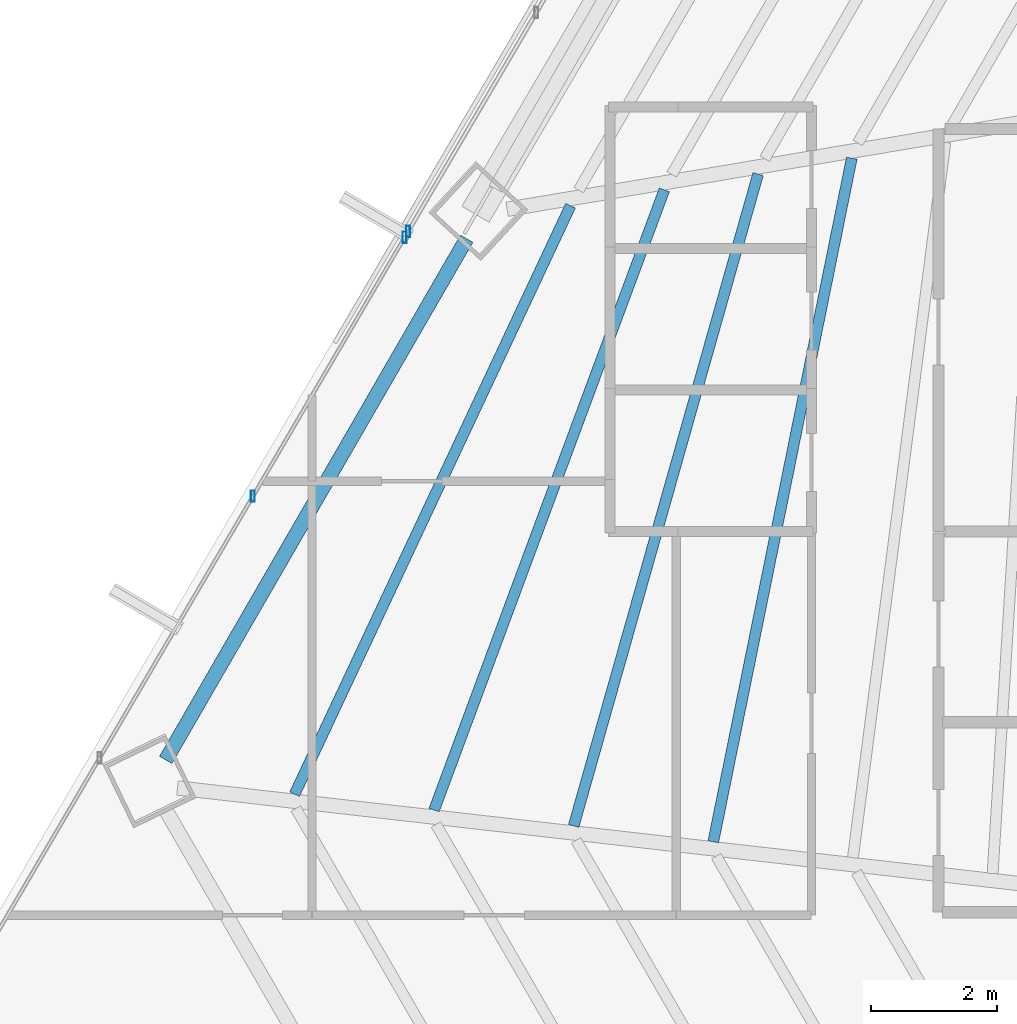
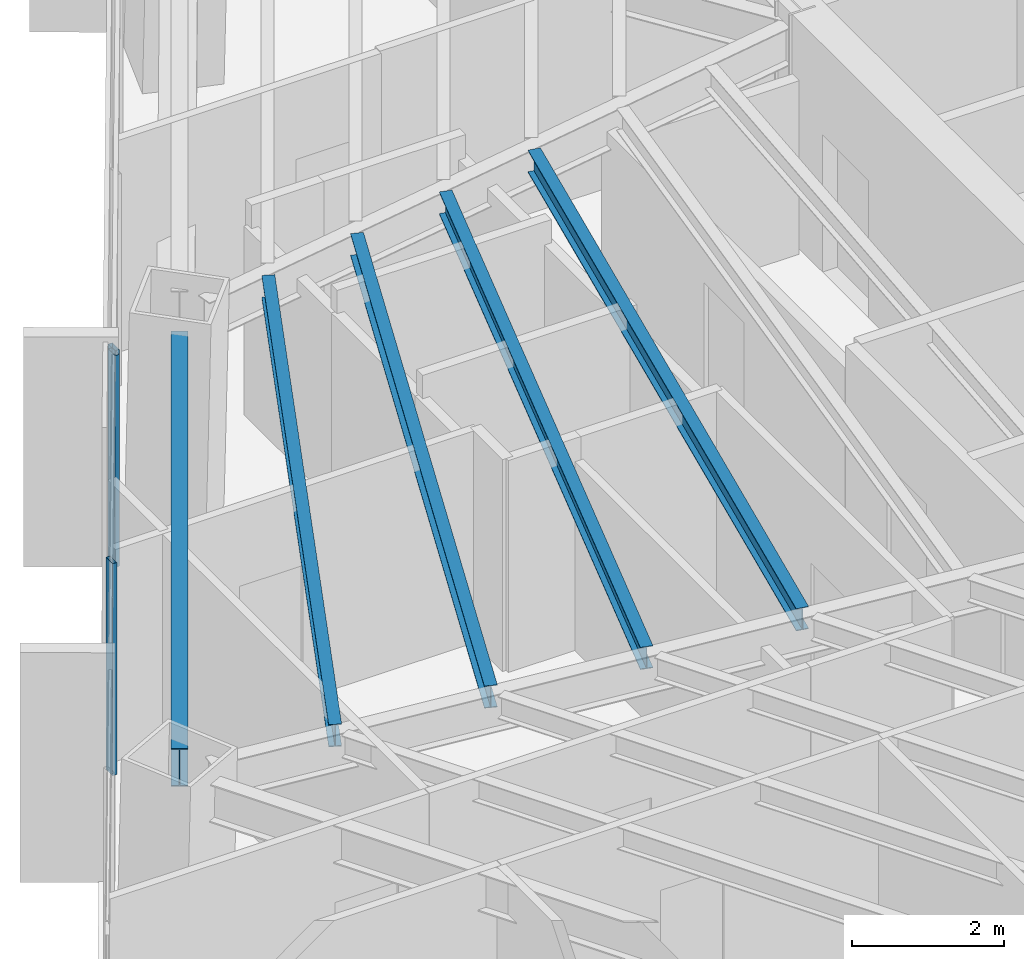
# One storey, part 11 of 37: 5 beams, 3 members, 2 elements without a shape of their own.
"""IFC4 building model written with IfcOpenShell, lengths in metres."""

import ifcopenshell
import ifcopenshell.guid

model = None  # the IFC model being written
_history = None  # IfcOwnerHistory: only IFC2X3 demands one
_inside = {}  # id of a spatial element -> (the spatial element, [elements in it])
_under = {}  # id of a project, library or spatial element -> (it, [spatial elements below it])
_declared = {}  # id of a project -> (the project, [libraries it declares])
_typed = {}  # id of a type object -> (the type object, [elements of that type])
_made_of = {}  # id of a material, layer set ... -> (it, [elements and type objects made of it])


def new_model(schema):
    """Start an empty IFC model of exactly this schema.

    Asked for "IFC4X3", IfcOpenShell would pick the latest addendum, in which some entities
    have other attributes; the version numbers below select the first issue.
    IFC2X3 requires an IfcOwnerHistory on every rooted entity: one is made here for all.
    """
    global model, _history
    if schema == "IFC4X3":
        model = ifcopenshell.file(schema_version=(4, 3, 0, 0))
    else:
        model = ifcopenshell.file(schema=schema)
    _inside.clear()
    _under.clear()
    _declared.clear()
    _typed.clear()
    _made_of.clear()
    _history = None
    if model.schema == "IFC2X3":
        org = make("IfcOrganization", Name="unknown")
        user = make(
            "IfcPersonAndOrganization",
            ThePerson=make("IfcPerson", FamilyName="unknown"),
            TheOrganization=org,
        )
        app = make(
            "IfcApplication",
            ApplicationDeveloper=org,
            Version="unknown",
            ApplicationFullName="unknown",
            ApplicationIdentifier="unknown",
        )
        _history = make(
            "IfcOwnerHistory",
            OwningUser=user,
            OwningApplication=app,
            ChangeAction="ADDED",
            CreationDate=0,
        )
    return model


def make(cls, **values):
    """One entity of the class cls with the attributes given. An attribute that is None is left unset."""
    return model.create_entity(
        cls, **{name: value for name, value in values.items() if value is not None}
    )


def rooted(cls, **values):
    """An entity with a GlobalId (a new one), such as an element, a storey or a relation."""
    return make(cls, GlobalId=ifcopenshell.guid.new(), OwnerHistory=_history, **values)


def si_unit(unit_type, name, prefix=None):
    """IfcSIUnit, for example si_unit("LENGTHUNIT", "METRE", prefix="MILLI")."""
    return make("IfcSIUnit", UnitType=unit_type, Prefix=prefix, Name=name)


def assignment(units):
    """IfcUnitAssignment: the units of a project."""
    return None if units is None else make("IfcUnitAssignment", Units=units)


def point(xyz):
    """IfcCartesianPoint."""
    return None if xyz is None else make("IfcCartesianPoint", Coordinates=xyz)


def direction(xyz):
    """IfcDirection."""
    return None if xyz is None else make("IfcDirection", DirectionRatios=xyz)


def frame(location, z_axis=None, x_axis=None):
    """IfcAxis2Placement3D, a coordinate frame: its origin and axes. An axis left out is left unset."""
    return make(
        "IfcAxis2Placement3D",
        Location=point(location),
        Axis=direction(z_axis),
        RefDirection=direction(x_axis),
    )


def frame_2d(location, x_axis=None):
    """IfcAxis2Placement2D, a coordinate frame in the plane: its origin and x axis."""
    return make(
        "IfcAxis2Placement2D", Location=point(location), RefDirection=direction(x_axis)
    )


def origin():
    """The frame at (0, 0, 0) with its axes left unset."""
    return frame((0.0, 0.0, 0.0))


def origin_2d():
    """The frame at (0, 0) in the plane with its x axis left unset."""
    return frame_2d((0.0, 0.0))


def place(relative_to, where):
    """IfcLocalPlacement: puts the frame where relative to a parent placement (None: the world)."""
    return make(
        "IfcLocalPlacement", PlacementRelTo=relative_to, RelativePlacement=where
    )


def context(
    kind, dimensions, precision=None, world=None, true_north=None, identifier=None
):
    """IfcGeometricRepresentationContext, for example the 3D "Model" context."""
    return make(
        "IfcGeometricRepresentationContext",
        ContextIdentifier=identifier,
        ContextType=kind,
        CoordinateSpaceDimension=dimensions,
        Precision=precision,
        WorldCoordinateSystem=world,
        TrueNorth=true_north,
    )


def subcontext(parent, identifier, kind, view, scale=None):
    """IfcGeometricRepresentationSubContext, for example "Body" below "Model"."""
    return make(
        "IfcGeometricRepresentationSubContext",
        ContextIdentifier=identifier,
        ContextType=kind,
        ParentContext=parent,
        TargetScale=scale,
        TargetView=view,
    )


def project(units=None, contexts=None):
    """IfcProject with its units and contexts."""
    return rooted(
        "IfcProject",
        Name="project",
        RepresentationContexts=contexts,
        UnitsInContext=assignment(units),
    )


def spatial(cls, under=None, at=None, **own):
    """A site, building, storey or space (cls), placed at a placement, below another one or the project."""
    s = rooted(cls, ObjectPlacement=at, **own)
    if under is not None:
        _under.setdefault(under.id(), (under, []))[1].append(s)
    return s


def profile(cls, at=None, kind="AREA", **sizes):
    """A parametric profile (cls). Its sizes go by their IFC names, for example OverallWidth=200.0."""
    return make(cls, ProfileType=kind, Position=at, **sizes)


def hollow_rectangle(**sizes):
    """IfcRectangleHollowProfileDef."""
    return profile("IfcRectangleHollowProfileDef", **sizes)


def i_section(**sizes):
    """IfcIShapeProfileDef."""
    return profile("IfcIShapeProfileDef", **sizes)


def extrude(swept, where, along, depth):
    """IfcExtrudedAreaSolid: the profile swept, set in the frame where, extruded along a direction by depth."""
    return make(
        "IfcExtrudedAreaSolid",
        SweptArea=swept,
        Position=where,
        ExtrudedDirection=direction(along),
        Depth=depth,
    )


def shape(context_of_items, identifier, shape_type, items):
    """IfcShapeRepresentation: the items that make up one representation, for example the "Body"."""
    return make(
        "IfcShapeRepresentation",
        ContextOfItems=context_of_items,
        RepresentationIdentifier=identifier,
        RepresentationType=shape_type,
        Items=items,
    )


def source(mapping_origin, context_of_items, identifier, shape_type, items):
    """IfcRepresentationMap: a shape defined once, which mapped items show again and again."""
    return make(
        "IfcRepresentationMap",
        MappingOrigin=mapping_origin,
        MappedRepresentation=shape(context_of_items, identifier, shape_type, items),
    )


def transform(
    local_origin,
    x_axis=None,
    y_axis=None,
    z_axis=None,
    scale=None,
    scale2=None,
    scale3=None,
    uniform=True,
):
    """IfcCartesianTransformationOperator3D, or its non-uniform kind. x_axis, y_axis, z_axis: its Axis1, 2, 3."""
    if uniform:
        return make(
            "IfcCartesianTransformationOperator3D",
            Axis1=direction(x_axis),
            Axis2=direction(y_axis),
            LocalOrigin=point(local_origin),
            Scale=scale,
            Axis3=direction(z_axis),
        )
    return make(
        "IfcCartesianTransformationOperator3DnonUniform",
        Axis1=direction(x_axis),
        Axis2=direction(y_axis),
        LocalOrigin=point(local_origin),
        Scale=scale,
        Axis3=direction(z_axis),
        Scale2=scale2,
        Scale3=scale3,
    )


def mapped(mapping_source, mapping_target):
    """IfcMappedItem: shows the shape of a source again, moved by a transform."""
    return make(
        "IfcMappedItem", MappingSource=mapping_source, MappingTarget=mapping_target
    )


def material(Name=None, Category=None):
    """IfcMaterial."""
    return make("IfcMaterial", Name=Name, Category=Category)


def material_profile(
    of_material, cross_section, Name=None, Category=None, Priority=None
):
    """IfcMaterialProfile: a cross section and its material."""
    return make(
        "IfcMaterialProfile",
        Name=Name,
        Material=of_material,
        Profile=cross_section,
        Priority=Priority,
        Category=Category,
    )


def profile_set(profiles, Name=None, composite=None):
    """IfcMaterialProfileSet."""
    return make(
        "IfcMaterialProfileSet",
        Name=Name,
        MaterialProfiles=profiles,
        CompositeProfile=composite,
    )


def made_of(thing, what):
    """Note that an element or type object is made of a material, layer set ...; save() writes the relation."""
    if what is not None:
        _made_of.setdefault(what.id(), (what, []))[1].append(thing)
    return thing


def type_object(cls, material=None, **own):
    """A type object (cls), such as IfcWallType, which elements share."""
    return made_of(rooted(cls, **own), material)


def type_shapes(of_type, sources):
    """Give a type object the sources (RepresentationMaps) that its elements show as mapped items."""
    of_type.RepresentationMaps = sources


def element(
    cls,
    number,
    at=None,
    inside=None,
    cuts=None,
    type_object=None,
    material=None,
    context=None,
    identifier="Body",
    shape_type=None,
    held_by="IfcProductDefinitionShape",
    body=None,
    shapes=None,
    **own,
):
    """One element of the class cls, such as IfcWall. Its Tag is "e" and its number.

    at: its placement. inside: the storey or other place that contains it. cuts: it is an
    opening in that element (IfcRelVoidsElement). A single representation is given by context,
    identifier, shape_type and body (its items); several are given by shapes. held_by: the class
    of the entity that holds the representations. save() writes the other relations.
    """
    e = rooted(cls, Tag="e%d" % number, ObjectPlacement=at, **own)
    if body is not None:
        shapes = [shape(context, identifier, shape_type, body)]
    if shapes is not None:
        e.Representation = make(held_by, Representations=shapes)
    if inside is not None:
        _inside.setdefault(inside.id(), (inside, []))[1].append(e)
    if cuts is not None:
        rooted(
            "IfcRelVoidsElement", RelatingBuildingElement=cuts, RelatedOpeningElement=e
        )
    if type_object is not None:
        _typed.setdefault(type_object.id(), (type_object, []))[1].append(e)
    return made_of(e, material)


def aggregate(whole, parts):
    """IfcRelAggregates: a whole, such as a stair, and the parts it consists of."""
    return rooted("IfcRelAggregates", RelatingObject=whole, RelatedObjects=parts)


def save(model, path):
    """Write the relations noted so far, then the file.

    IfcRelAggregates (storeys below a building ...), IfcRelContainedInSpatialStructure (elements
    in a storey), IfcRelDefinesByType, IfcRelAssociatesMaterial and IfcRelDeclares: one each for
    every whole, place, type object, material and project.
    """
    for whole, parts in _under.values():
        aggregate(whole, parts)
    for where, things in _inside.values():
        rooted(
            "IfcRelContainedInSpatialStructure",
            RelatedElements=things,
            RelatingStructure=where,
        )
    for kind, things in _typed.values():
        rooted("IfcRelDefinesByType", RelatedObjects=things, RelatingType=kind)
    for what, things in _made_of.values():
        rooted("IfcRelAssociatesMaterial", RelatedObjects=things, RelatingMaterial=what)
    for by, libraries in _declared.values():
        rooted("IfcRelDeclares", RelatingContext=by, RelatedDefinitions=libraries)
    model.write(path)


model = new_model("IFC4")

# Units and contexts
model_context = context("Model", 3, precision=1e-05, world=origin(), true_north=direction((0.0, 1.0)))
body_context = subcontext(model_context, "Body", "Model", "MODEL_VIEW")
ifc_project = project(units=[si_unit("LENGTHUNIT", "METRE"), si_unit("AREAUNIT", "SQUARE_METRE"), si_unit("VOLUMEUNIT", "CUBIC_METRE"), si_unit("PLANEANGLEUNIT", "RADIAN"), si_unit("MASSUNIT", "GRAM", prefix="KILO")], contexts=[model_context])

# Site, building, storey
site_placement = place(None, origin())
site = spatial("IfcSite", under=ifc_project, at=site_placement, CompositionType="ELEMENT")
building_placement = place(site_placement, origin())
building = spatial("IfcBuilding", under=site, at=building_placement, Name="Caelisora Broadcast Tower", CompositionType="ELEMENT")
storey_placement = place(building_placement, frame((0.0, 0.0, 105.39990234375)))
storey = spatial("IfcBuildingStorey", under=building, at=storey_placement, Name="L27", CompositionType="ELEMENT", Elevation=105.39990234375)

# Beams
ifc_material_1 = material(Name="Steel Grade 350 (AS/NZS 3679.1)", Category="steel")
ifc_material_profile_1 = material_profile(ifc_material_1, i_section(OverallWidth=0.22900390625, OverallDepth=0.611572265625, WebThickness=0.011962890625, FlangeThickness=0.01953125, at=origin_2d()), Name="Steel Grade 350 (AS/NZS 3679.1)")
ifc_profile_set_1 = profile_set([ifc_material_profile_1], Name="Steel Grade 350 (AS/NZS 3679.1)")
beam_type_1 = type_object("IfcBeamType", Name="PG03", PredefinedType="BEAM", material=ifc_profile_set_1)
shared_shape_1 = source(origin(), body_context, "Body", "SweptSolid", [
    extrude(i_section(OverallWidth=0.22900390625, OverallDepth=0.611572265625, WebThickness=0.011962890625, FlangeThickness=0.01953125, at=origin_2d()), origin(), (0.0, 0.0, 1.0), 9.56640625),
])
type_shapes(beam_type_1, [shared_shape_1])
beam_1_placement = place(storey_placement, frame((19.91796875, 27.854248046875, 3.09423828125), z_axis=(-0.500003750891, -0.866023238196, 0.0), x_axis=(0.866023238196, -0.500003750891, 0.0)))
element("IfcBeam", 1, at=beam_1_placement, inside=storey, type_object=beam_type_1, Name="L27 beam PG03", PredefinedType="BEAM", context=body_context, shape_type="MappedRepresentation", body=[
    mapped(shared_shape_1, transform((0.0, 0.0, 0.0), scale=1.0)),
])
ifc_material_profile_2 = material_profile(ifc_material_1, i_section(OverallWidth=0.172119140625, OverallDepth=0.358642578125, WebThickness=0.008056640625, FlangeThickness=0.012939453125, at=origin_2d()), Name="Steel Grade 350 (AS/NZS 3679.1)")
ifc_profile_set_2 = profile_set([ifc_material_profile_2], Name="Steel Grade 350 (AS/NZS 3679.1)")
beam_type_2 = type_object("IfcBeamType", Name="SB02", PredefinedType="JOIST", material=ifc_profile_set_2)
shared_shape_2 = source(origin(), body_context, "Body", "SweptSolid", [
    extrude(i_section(OverallWidth=0.172119140625, OverallDepth=0.358642578125, WebThickness=0.008056640625, FlangeThickness=0.012939453125, at=origin_2d()), origin(), (0.0, 0.0, 1.0), 11.0869140625),
])
beam_2_placement = place(storey_placement, frame((26.039794921875, 29.134521484375, 3.220703125), z_axis=(-0.198558956161, -0.980088945417, 0.0), x_axis=(0.980088945417, -0.198558956161, 0.0)))
element("IfcBeam", 2, at=beam_2_placement, inside=storey, type_object=beam_type_2, Name="L27 beam SB02", PredefinedType="JOIST", context=body_context, shape_type="MappedRepresentation", body=[
    mapped(shared_shape_2, transform((0.0, 0.0, 0.0), scale=1.0)),
])
shared_shape_3 = source(origin(), body_context, "Body", "SweptSolid", [
    extrude(i_section(OverallWidth=0.172119140625, OverallDepth=0.358642578125, WebThickness=0.008056640625, FlangeThickness=0.012939453125, at=origin_2d()), origin(), (0.0, 0.0, 1.0), 10.769287109375),
])
beam_3_placement = place(storey_placement, frame((24.551025390625, 28.883056640625, 3.220703125), z_axis=(-0.272244053886, -0.962228234424, 0.0), x_axis=(0.962228234424, -0.272244053886, 0.0)))
element("IfcBeam", 3, at=beam_3_placement, inside=storey, type_object=beam_type_2, Name="L27 beam SB02", PredefinedType="JOIST", context=body_context, shape_type="MappedRepresentation", body=[
    mapped(shared_shape_3, transform((0.0, 0.0, 0.0), scale=1.0)),
])
shared_shape_4 = source(origin(), body_context, "Body", "SweptSolid", [
    extrude(i_section(OverallWidth=0.172119140625, OverallDepth=0.358642578125, WebThickness=0.008056640625, FlangeThickness=0.012939453125, at=origin_2d()), origin(), (0.0, 0.0, 1.0), 10.516357421875),
])
beam_4_placement = place(storey_placement, frame((23.060791015625, 28.63134765625, 3.220703125), z_axis=(-0.348063540029, -0.937470944671, 0.0), x_axis=(0.937470944671, -0.348063540029, 0.0)))
element("IfcBeam", 4, at=beam_4_placement, inside=storey, type_object=beam_type_2, Name="L27 beam SB02", PredefinedType="JOIST", context=body_context, shape_type="MappedRepresentation", body=[
    mapped(shared_shape_4, transform((0.0, 0.0, 0.0), scale=1.0)),
])
shared_shape_5 = source(origin(), body_context, "Body", "SweptSolid", [
    extrude(i_section(OverallWidth=0.172119140625, OverallDepth=0.358642578125, WebThickness=0.008056640625, FlangeThickness=0.012939453125, at=origin_2d()), origin(), (0.0, 0.0, 1.0), 10.332275390625),
])
type_shapes(beam_type_2, [shared_shape_2, shared_shape_3, shared_shape_4, shared_shape_5])
beam_5_placement = place(storey_placement, frame((21.569091796875, 28.37939453125, 3.220703125), z_axis=(-0.424539209893, -0.905409553331, 0.0), x_axis=(0.905409553331, -0.424539209893, 0.0)))
element("IfcBeam", 5, at=beam_5_placement, inside=storey, type_object=beam_type_2, Name="L27 beam SB02", PredefinedType="JOIST", context=body_context, shape_type="MappedRepresentation", body=[
    mapped(shared_shape_5, transform((0.0, 0.0, 0.0), scale=1.0)),
])

# Curtain wall, members
ifc_material_2 = material(Name="Unitised Aluminium and Low-E Glass Curtain Wall", Category="glass")
curtain_wall_type_1 = type_object("IfcCurtainWallType", Name="CW-Z2", PredefinedType="NOTDEFINED", material=ifc_material_2)
curtain_wall_1_placement = place(storey_placement, origin())
curtain_wall_1 = element("IfcCurtainWall", 6, at=curtain_wall_1_placement, inside=storey, type_object=curtain_wall_type_1, Name="L27 curtain wall CW-Z2", PredefinedType="NOTDEFINED")
ifc_material_3 = material(Name="Aluminium 6063-T6 Anodised Terracotta Bronze", Category="aluminium")
ifc_material_profile_3 = material_profile(ifc_material_3, hollow_rectangle(XDim=0.06494140625, YDim=0.179931640625, WallThickness=0.00341796875, at=origin_2d()), Name="Aluminium 6063-T6 Anodised Terracotta Bronze")
ifc_profile_set_3 = profile_set([ifc_material_profile_3], Name="Aluminium 6063-T6 Anodised Terracotta Bronze")
member_type = type_object("IfcMemberType", Name="CWM-02", PredefinedType="MULLION", material=ifc_profile_set_3)
shared_shape_6 = source(origin(), body_context, "Body", "SweptSolid", [
    extrude(hollow_rectangle(XDim=0.06494140625, YDim=0.179931640625, WallThickness=0.00341796875, at=origin_2d()), origin(), (0.0, 0.0, 1.0), 3.400146484375),
])
type_shapes(member_type, [shared_shape_6])
member_1_placement = place(storey_placement, frame((16.520751953125, 23.760009765625, 0.0), z_axis=(0.0, 0.0, 1.0), x_axis=(1.0, 0.0, 0.0)))
member_1 = element("IfcMember", 7, at=member_1_placement, type_object=member_type, Name="L27-CW-B09 mullion #2", PredefinedType="MULLION", context=body_context, shape_type="MappedRepresentation", body=[
    mapped(shared_shape_6, transform((0.0, 0.0, 0.0), scale=1.0)),
])
member_2_placement = place(storey_placement, frame((18.932373046875, 27.87646484375, 0.0), z_axis=(0.0, 0.0, 1.0), x_axis=(1.0, 0.0, 0.0)))
member_2 = element("IfcMember", 8, at=member_2_placement, type_object=member_type, Name="L27-CW-B09 mullion #3", PredefinedType="MULLION", context=body_context, shape_type="MappedRepresentation", body=[
    mapped(shared_shape_6, transform((0.0, 0.0, 0.0), scale=1.0)),
])
aggregate(curtain_wall_1, [member_1, member_2])

# Curtain wall, member
ifc_material_4 = material(Name="Unitised Aluminium Insulated Shadow-Box Spandrel Curtain Wall", Category="aluminium")
curtain_wall_type_2 = type_object("IfcCurtainWallType", Name="CW-SP1", PredefinedType="NOTDEFINED", material=ifc_material_4)
curtain_wall_2_placement = place(storey_placement, origin())
curtain_wall_2 = element("IfcCurtainWall", 9, at=curtain_wall_2_placement, inside=storey, type_object=curtain_wall_type_2, Name="L27 curtain wall CW-SP1", PredefinedType="NOTDEFINED")
member_3_placement = place(storey_placement, frame((18.988037109375, 27.97119140625, 0.0), z_axis=(0.0, 0.0, 1.0), x_axis=(1.0, 0.0, 0.0)))
member_3 = element("IfcMember", 10, at=member_3_placement, type_object=member_type, Name="L27-CW-B10 mullion #0", PredefinedType="MULLION", context=body_context, shape_type="MappedRepresentation", body=[
    mapped(shared_shape_6, transform((0.0, 0.0, 0.0), scale=1.0)),
])
aggregate(curtain_wall_2, [member_3])

save(model, "model.ifc")
